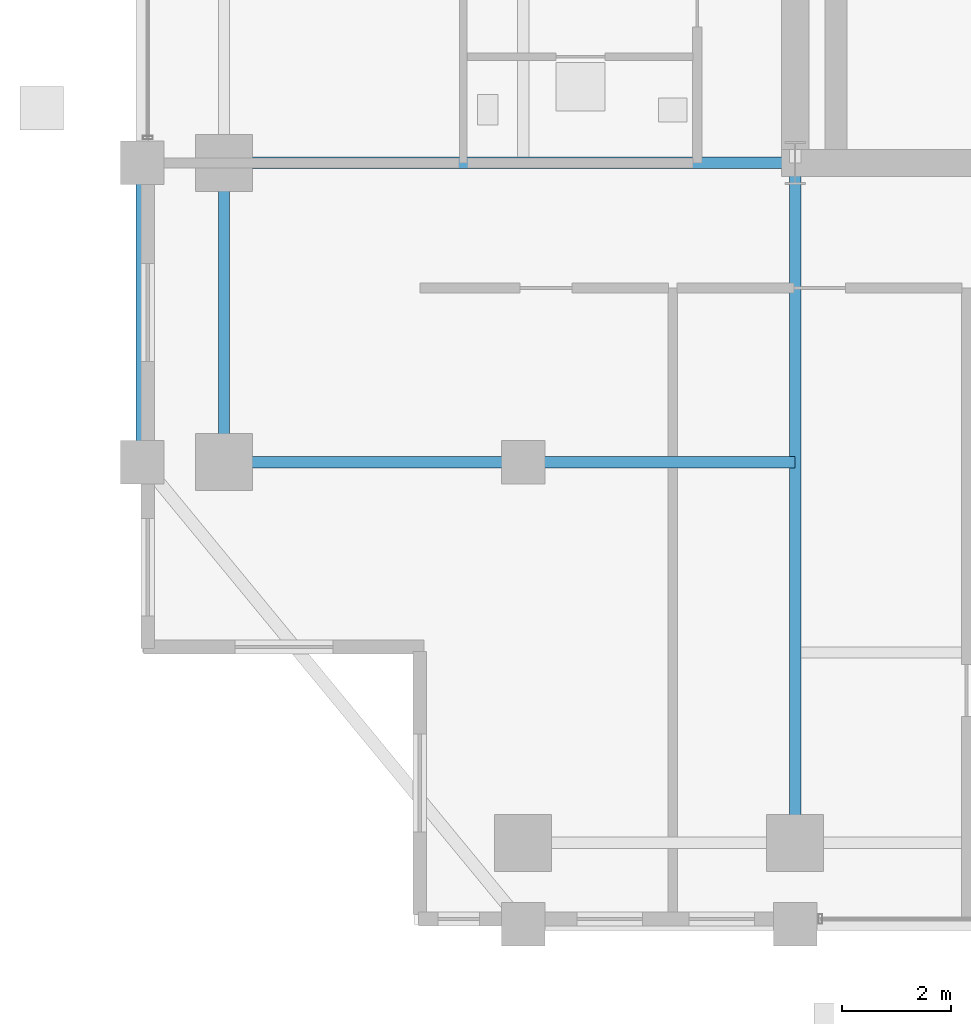
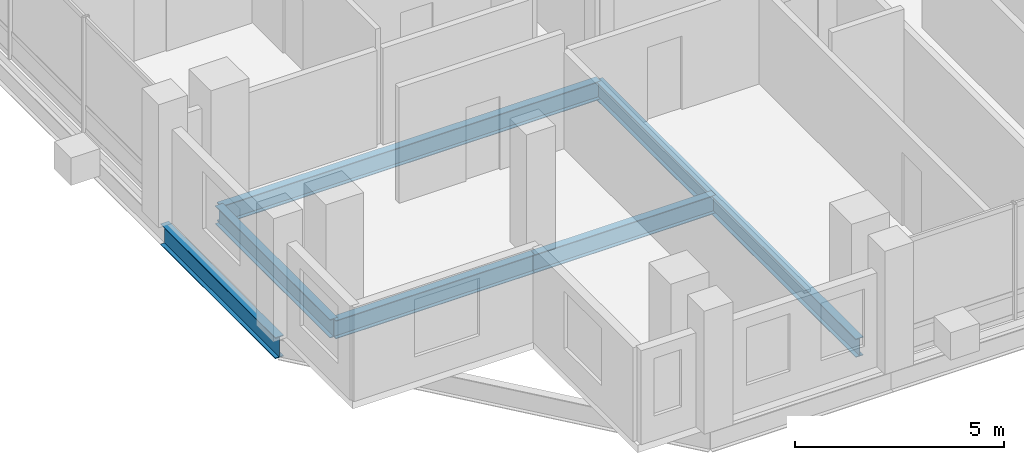
# One storey, part 3 of 24: 6 beams.
"""IFC4 building model written with IfcOpenShell, lengths in metres."""

from ifc_helpers import new_model, si_unit, direction, frame, origin, origin_2d, place, context, subcontext, project, spatial, i_section, extrude, material, material_profile, profile_set, type_object, element, save


model = new_model("IFC4")

# Units and contexts
model_context = context("Model", 3, precision=1e-05, world=origin(), true_north=direction((0.0, 1.0)))
body_context = subcontext(model_context, "Body", "Model", "MODEL_VIEW")
ifc_project = project(units=[si_unit("LENGTHUNIT", "METRE"), si_unit("AREAUNIT", "SQUARE_METRE"), si_unit("VOLUMEUNIT", "CUBIC_METRE"), si_unit("PLANEANGLEUNIT", "RADIAN"), si_unit("MASSUNIT", "GRAM", prefix="KILO")], contexts=[model_context])

# Site, building, storey
site_placement = place(None, origin())
site = spatial("IfcSite", under=ifc_project, at=site_placement, CompositionType="ELEMENT")
building_placement = place(site_placement, origin())
building = spatial("IfcBuilding", under=site, at=building_placement, Name="Barlavira Tower and Art Museum", CompositionType="ELEMENT")
storey_placement = place(building_placement, frame((0.0, 0.0, 190.800048828125)))
storey = spatial("IfcBuildingStorey", under=building, at=storey_placement, Name="L49", CompositionType="ELEMENT", Elevation=190.800048828125)

# Beams
ifc_material = material(Name="Steel S355", Category="steel")
ifc_material_profile_1 = material_profile(ifc_material, i_section(OverallWidth=0.22998046875, OverallDepth=0.616943359375, WebThickness=0.01318359375, FlangeThickness=0.022216796875, at=origin_2d()), Name="W610x140.0")
ifc_profile_set_1 = profile_set([ifc_material_profile_1], Name="Steel S355")
beam_type_1 = type_object("IfcBeamType", Name="Upper Shaft Spandrel Edge Beam W610x140 Steel S355", PredefinedType="SPANDREL", material=ifc_profile_set_1)
beam_1_placement = place(storey_placement, frame((-18.5, -13.0, -0.528564453125), z_axis=(0.0, 1.0, 0.0), x_axis=(-1.0, 0.0, 0.0)))
element("IfcBeam", 1, at=beam_1_placement, inside=storey, type_object=beam_type_1, Name="L49 Spandrel 15", PredefinedType="SPANDREL", context=body_context, shape_type="SweptSolid", body=[
    extrude(i_section(OverallWidth=0.22998046875, OverallDepth=0.616943359375, WebThickness=0.01318359375, FlangeThickness=0.022216796875, at=origin_2d()), origin(), (0.0, 0.0, 1.0), 5.5),
])
ifc_material_profile_2 = material_profile(ifc_material, i_section(OverallWidth=0.2109375, OverallDepth=0.5390625, WebThickness=0.01171875, FlangeThickness=0.018798828125, at=origin_2d()), Name="W530x109.0")
ifc_profile_set_2 = profile_set([ifc_material_profile_2], Name="Steel S355")
beam_type_2 = type_object("IfcBeamType", Name="Zone 3-4 Primary Floor Girder W530x109 Steel S355", PredefinedType="BEAM", material=ifc_profile_set_2)
beam_2_placement = place(storey_placement, frame((-17.0, -13.0, -0.489501953125), z_axis=(0.0, 1.0, 0.0), x_axis=(-1.0, 0.0, 0.0)))
element("IfcBeam", 2, at=beam_2_placement, inside=storey, type_object=beam_type_2, Name="L49 Girder M-W1", PredefinedType="BEAM", context=body_context, shape_type="SweptSolid", body=[
    extrude(i_section(OverallWidth=0.2109375, OverallDepth=0.5390625, WebThickness=0.01171875, FlangeThickness=0.018798828125, at=origin_2d()), origin(), (0.0, 0.0, 1.0), 5.5),
])
beam_3_placement = place(storey_placement, frame((-6.5, -20.0, -0.489501953125), z_axis=(0.0, 1.0, 0.0), x_axis=(-1.0, 0.0, 0.0)))
element("IfcBeam", 3, at=beam_3_placement, inside=storey, type_object=beam_type_2, Name="L49 Girder R-S1", PredefinedType="BEAM", context=body_context, shape_type="SweptSolid", body=[
    extrude(i_section(OverallWidth=0.2109375, OverallDepth=0.5390625, WebThickness=0.01171875, FlangeThickness=0.018798828125, at=origin_2d()), origin(), (0.0, 0.0, 1.0), 12.5),
])
beam_4_placement = place(storey_placement, frame((-17.0, -7.5, -0.489501953125), z_axis=(1.0, 0.0, 0.0), x_axis=(0.0, 1.0, 0.0)))
element("IfcBeam", 4, at=beam_4_placement, inside=storey, type_object=beam_type_2, Name="L49 Girder R-W1", PredefinedType="BEAM", context=body_context, shape_type="SweptSolid", body=[
    extrude(i_section(OverallWidth=0.2109375, OverallDepth=0.5390625, WebThickness=0.01171875, FlangeThickness=0.018798828125, at=origin_2d()), origin(), (0.0, 0.0, 1.0), 10.5),
])
beam_5_placement = place(storey_placement, frame((-17.0, -13.0, -0.489501953125), z_axis=(1.0, 0.0, 0.0), x_axis=(0.0, 1.0, 0.0)))
element("IfcBeam", 5, at=beam_5_placement, inside=storey, type_object=beam_type_2, Name="L49 Girder I-S1", PredefinedType="BEAM", context=body_context, shape_type="SweptSolid", body=[
    extrude(i_section(OverallWidth=0.2109375, OverallDepth=0.5390625, WebThickness=0.01171875, FlangeThickness=0.018798828125, at=origin_2d()), origin(), (0.0, 0.0, 1.0), 5.5),
])
beam_6_placement = place(storey_placement, frame((-11.5, -13.0, -0.489501953125), z_axis=(1.0, 0.0, 0.0), x_axis=(0.0, 1.0, 0.0)))
element("IfcBeam", 6, at=beam_6_placement, inside=storey, type_object=beam_type_2, Name="L49 Girder I-S2", PredefinedType="BEAM", context=body_context, shape_type="SweptSolid", body=[
    extrude(i_section(OverallWidth=0.2109375, OverallDepth=0.5390625, WebThickness=0.01171875, FlangeThickness=0.018798828125, at=origin_2d()), origin(), (0.0, 0.0, 1.0), 5.0),
])

save(model, "model.ifc")
